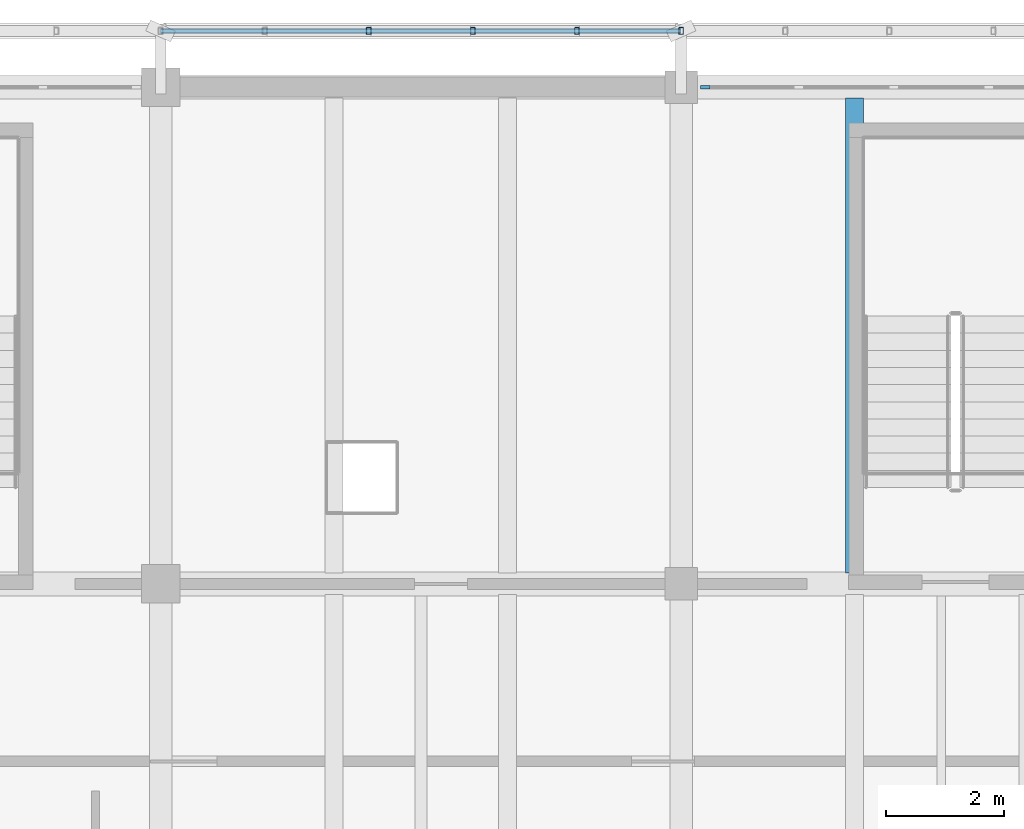
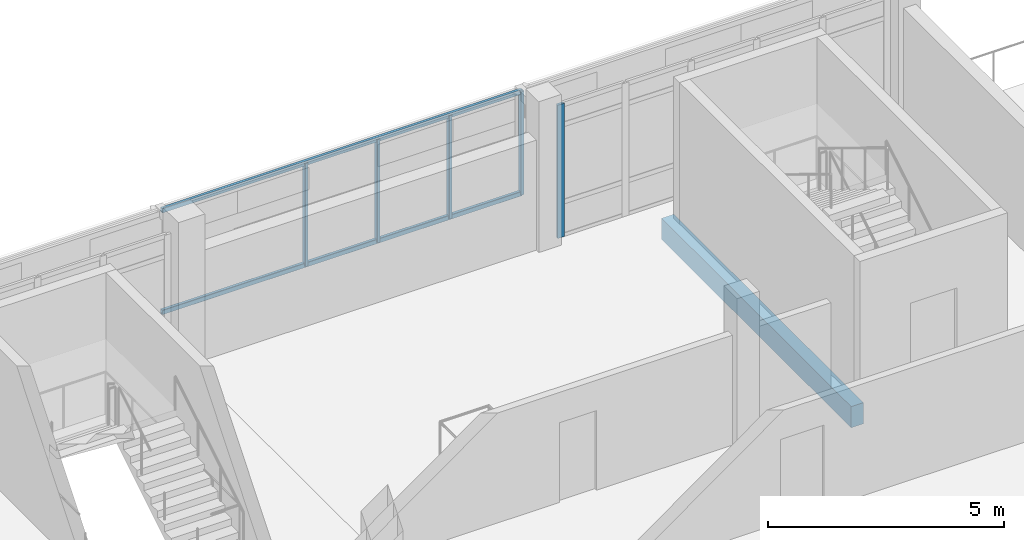
# One storey, part 72 of 117: 7 members, 1 beam, 1 element without a shape of its own.
"""IFC4 building model written with IfcOpenShell, lengths in metres."""

from ifc_helpers import new_model, si_unit, direction, frame, origin, origin_2d, place, context, subcontext, project, spatial, rectangle, hollow_rectangle, extrude, material, material_profile, profile_set, type_object, element, aggregate, save


model = new_model("IFC4")

# Units and contexts
model_context = context("Model", 3, precision=1e-05, world=origin(), true_north=direction((0.0, 1.0)))
body_context = subcontext(model_context, "Body", "Model", "MODEL_VIEW")
ifc_project = project(units=[si_unit("LENGTHUNIT", "METRE"), si_unit("AREAUNIT", "SQUARE_METRE"), si_unit("VOLUMEUNIT", "CUBIC_METRE"), si_unit("PLANEANGLEUNIT", "RADIAN"), si_unit("MASSUNIT", "GRAM", prefix="KILO")], contexts=[model_context])

# Site, building, storey
site_placement = place(None, origin())
site = spatial("IfcSite", under=ifc_project, at=site_placement, CompositionType="ELEMENT")
building_placement = place(site_placement, origin())
building = spatial("IfcBuilding", under=site, at=building_placement, Name="Cinderway Yard Community Centre", CompositionType="ELEMENT")
storey_placement = place(building_placement, frame((0.0, 0.0, 9.0)))
storey = spatial("IfcBuildingStorey", under=building, at=storey_placement, Name="L02", CompositionType="ELEMENT", Elevation=9.0)

# Curtain wall, member
ifc_material_1 = material(Name="Aluminium 6063-T6", Category="aluminium")
curtain_wall_type = type_object("IfcCurtainWallType", Name="ENV-CW-TYPE-30", PredefinedType="USERDEFINED", material=ifc_material_1)
curtain_wall_placement = place(storey_placement, origin())
curtain_wall = element("IfcCurtainWall", 1, at=curtain_wall_placement, inside=storey, type_object=curtain_wall_type, Name="V4 Street Curtain Wall ENV-CW-L02-ST-0157", ObjectType="GLAZED CURTAIN WALL", PredefinedType="USERDEFINED")
ifc_material_profile_1 = material_profile(ifc_material_1, rectangle(XDim=0.06005859375, YDim=0.159912109375, at=origin_2d()), Name="Aluminium 6063-T6")
ifc_profile_set_1 = profile_set([ifc_material_profile_1], Name="Aluminium 6063-T6")
member_type_1 = type_object("IfcMemberType", Name="ENV-CW-MULL-150", PredefinedType="MULLION", material=ifc_profile_set_1)
member_placement = place(storey_placement, frame((128.409912109375, 115.199951171875, 0.0), z_axis=(0.0, 0.0, 1.0), x_axis=(0.0, 1.0, 0.0)))
member = element("IfcMember", 2, at=member_placement, type_object=member_type_1, Name="CW-30 mullion 1", PredefinedType="MULLION", context=body_context, shape_type="SweptSolid", body=[
    extrude(rectangle(XDim=0.06005859375, YDim=0.159912109375, at=origin_2d()), origin(), (0.0, 0.0, 1.0), 3.449951171875),
])
aggregate(curtain_wall, [member])

# Members
ifc_material_2 = material(Name="Steel S355", Category="steel")
ifc_material_profile_2 = material_profile(ifc_material_2, hollow_rectangle(XDim=0.080078125, YDim=0.1201171875, WallThickness=0.00634765625, InnerFilletRadius=0.00634765625, OuterFilletRadius=0.0126953125, at=origin_2d()), Name="Steel S355")
ifc_profile_set_2 = profile_set([ifc_material_profile_2], Name="Steel S355")
member_type_2 = type_object("IfcMemberType", Name="ENV-MEM-SCREEN-RAIL-120", PredefinedType="STRINGER", material=ifc_profile_set_2)
for number, where, z_axis, x_axis, name in (
    (3, (119.199951171875, 116.14990234375, 0.7099609375), (1.0, 0.0, 0.0), (0.0, 1.0, 0.0), "Screen support rail 0171-BOT"),
    (4, (119.199951171875, 116.14990234375, 3.340087890625), (1.0, 0.0, 0.0), (0.0, 1.0, 0.0), "Screen support rail 0172-TOP"),
):
    element("IfcMember", number, at=place(storey_placement, frame(where, z_axis=z_axis, x_axis=x_axis)), inside=storey, type_object=member_type_2, Name=name, PredefinedType="STRINGER", context=body_context, shape_type="SweptSolid", body=[
        extrude(hollow_rectangle(XDim=0.080078125, YDim=0.1201171875, WallThickness=0.00634765625, InnerFilletRadius=0.00634765625, OuterFilletRadius=0.0126953125, at=origin_2d()), origin(), (0.0, 0.0, 1.0), 8.800048828125),
    ])
for number, where, z_axis, x_axis, name in (
    (5, (122.719970703125, 116.14990234375, 0.68994140625), (0.0, 0.0, 1.0), (1.0, 0.0, 0.0), "Screen vertical mullion 0174"),
    (6, (124.47998046875, 116.14990234375, 0.68994140625), (0.0, 0.0, 1.0), (1.0, 0.0, 0.0), "Screen vertical mullion 0175"),
    (7, (126.239990234375, 116.14990234375, 0.68994140625), (0.0, 0.0, 1.0), (1.0, 0.0, 0.0), "Screen vertical mullion 0176"),
    (8, (128.0, 116.14990234375, 0.68994140625), (0.0, 0.0, 1.0), (1.0, 0.0, 0.0), "Screen vertical mullion 0177"),
):
    element("IfcMember", number, at=place(storey_placement, frame(where, z_axis=z_axis, x_axis=x_axis)), inside=storey, type_object=member_type_2, Name=name, PredefinedType="STRINGER", context=body_context, shape_type="SweptSolid", body=[
        extrude(hollow_rectangle(XDim=0.080078125, YDim=0.1201171875, WallThickness=0.00634765625, InnerFilletRadius=0.00634765625, OuterFilletRadius=0.0126953125, at=origin_2d()), origin(), (0.0, 0.0, 1.0), 2.670166015625),
    ])

# Beam
ifc_material_3 = material(Name="Concrete C35/45", Category="concrete")
ifc_material_profile_3 = material_profile(ifc_material_3, rectangle(XDim=0.300048828125, YDim=0.550048828125, at=origin_2d()), Name="Concrete C35/45")
ifc_profile_set_3 = profile_set([ifc_material_profile_3], Name="Concrete C35/45")
beam_type = type_object("IfcBeamType", Name="STR-BM-RC300X550", PredefinedType="JOIST", material=ifc_profile_set_3)
beam_placement = place(storey_placement, frame((130.93310546875, 106.98193359375, -0.514892578125), z_axis=(0.0, 1.0, 0.0), x_axis=(-1.0, 0.0, 0.0)))
element("IfcBeam", 9, at=beam_placement, inside=storey, type_object=beam_type, Name="Secondary joist STR-BM-L02-BJ03-0642", PredefinedType="JOIST", context=body_context, shape_type="SweptSolid", body=[
    extrude(rectangle(XDim=0.300048828125, YDim=0.550048828125, at=origin_2d()), origin(), (0.0, 0.0, 1.0), 8.0361328125),
])

save(model, "model.ifc")
